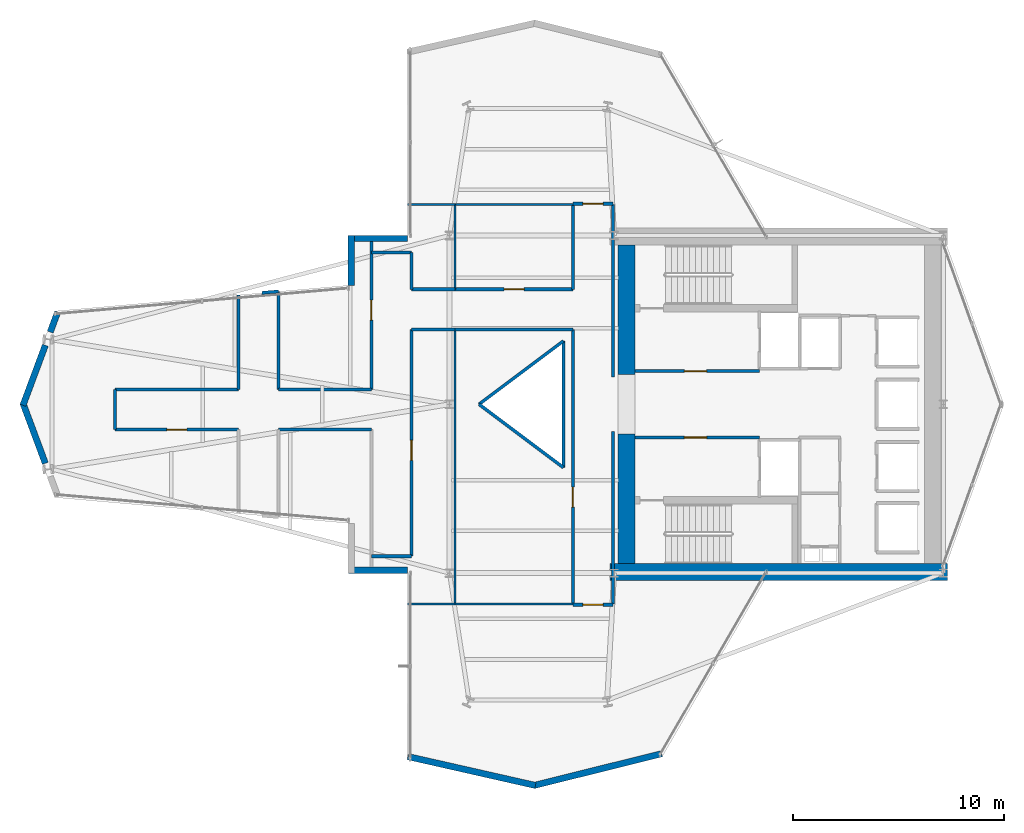
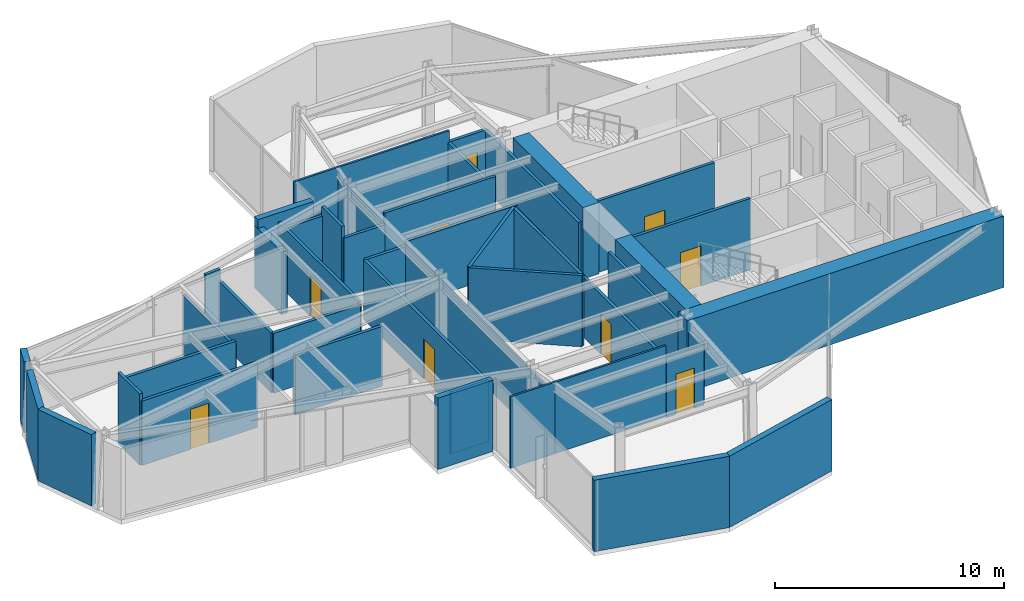
# One storey, part 22 of 25: 45 walls, 9 doors, 9 openings.
"""IFC4 building model written with IfcOpenShell, lengths in metres."""

import ifcopenshell
import ifcopenshell.guid

model = None  # the IFC model being written
_history = None  # IfcOwnerHistory: only IFC2X3 demands one
_inside = {}  # id of a spatial element -> (the spatial element, [elements in it])
_under = {}  # id of a project, library or spatial element -> (it, [spatial elements below it])
_declared = {}  # id of a project -> (the project, [libraries it declares])
_typed = {}  # id of a type object -> (the type object, [elements of that type])
_made_of = {}  # id of a material, layer set ... -> (it, [elements and type objects made of it])


def new_model(schema):
    """Start an empty IFC model of exactly this schema.

    Asked for "IFC4X3", IfcOpenShell would pick the latest addendum, in which some entities
    have other attributes; the version numbers below select the first issue.
    IFC2X3 requires an IfcOwnerHistory on every rooted entity: one is made here for all.
    """
    global model, _history
    if schema == "IFC4X3":
        model = ifcopenshell.file(schema_version=(4, 3, 0, 0))
    else:
        model = ifcopenshell.file(schema=schema)
    _inside.clear()
    _under.clear()
    _declared.clear()
    _typed.clear()
    _made_of.clear()
    _history = None
    if model.schema == "IFC2X3":
        org = make("IfcOrganization", Name="unknown")
        user = make(
            "IfcPersonAndOrganization",
            ThePerson=make("IfcPerson", FamilyName="unknown"),
            TheOrganization=org,
        )
        app = make(
            "IfcApplication",
            ApplicationDeveloper=org,
            Version="unknown",
            ApplicationFullName="unknown",
            ApplicationIdentifier="unknown",
        )
        _history = make(
            "IfcOwnerHistory",
            OwningUser=user,
            OwningApplication=app,
            ChangeAction="ADDED",
            CreationDate=0,
        )
    return model


def make(cls, **values):
    """One entity of the class cls with the attributes given. An attribute that is None is left unset."""
    return model.create_entity(
        cls, **{name: value for name, value in values.items() if value is not None}
    )


def rooted(cls, **values):
    """An entity with a GlobalId (a new one), such as an element, a storey or a relation."""
    return make(cls, GlobalId=ifcopenshell.guid.new(), OwnerHistory=_history, **values)


def si_unit(unit_type, name, prefix=None):
    """IfcSIUnit, for example si_unit("LENGTHUNIT", "METRE", prefix="MILLI")."""
    return make("IfcSIUnit", UnitType=unit_type, Prefix=prefix, Name=name)


def assignment(units):
    """IfcUnitAssignment: the units of a project."""
    return None if units is None else make("IfcUnitAssignment", Units=units)


def point(xyz):
    """IfcCartesianPoint."""
    return None if xyz is None else make("IfcCartesianPoint", Coordinates=xyz)


def direction(xyz):
    """IfcDirection."""
    return None if xyz is None else make("IfcDirection", DirectionRatios=xyz)


def frame(location, z_axis=None, x_axis=None):
    """IfcAxis2Placement3D, a coordinate frame: its origin and axes. An axis left out is left unset."""
    return make(
        "IfcAxis2Placement3D",
        Location=point(location),
        Axis=direction(z_axis),
        RefDirection=direction(x_axis),
    )


def frame_2d(location, x_axis=None):
    """IfcAxis2Placement2D, a coordinate frame in the plane: its origin and x axis."""
    return make(
        "IfcAxis2Placement2D", Location=point(location), RefDirection=direction(x_axis)
    )


def origin():
    """The frame at (0, 0, 0) with its axes left unset."""
    return frame((0.0, 0.0, 0.0))


def place(relative_to, where):
    """IfcLocalPlacement: puts the frame where relative to a parent placement (None: the world)."""
    return make(
        "IfcLocalPlacement", PlacementRelTo=relative_to, RelativePlacement=where
    )


def context(
    kind, dimensions, precision=None, world=None, true_north=None, identifier=None
):
    """IfcGeometricRepresentationContext, for example the 3D "Model" context."""
    return make(
        "IfcGeometricRepresentationContext",
        ContextIdentifier=identifier,
        ContextType=kind,
        CoordinateSpaceDimension=dimensions,
        Precision=precision,
        WorldCoordinateSystem=world,
        TrueNorth=true_north,
    )


def subcontext(parent, identifier, kind, view, scale=None):
    """IfcGeometricRepresentationSubContext, for example "Body" below "Model"."""
    return make(
        "IfcGeometricRepresentationSubContext",
        ContextIdentifier=identifier,
        ContextType=kind,
        ParentContext=parent,
        TargetScale=scale,
        TargetView=view,
    )


def project(units=None, contexts=None):
    """IfcProject with its units and contexts."""
    return rooted(
        "IfcProject",
        Name="project",
        RepresentationContexts=contexts,
        UnitsInContext=assignment(units),
    )


def spatial(cls, under=None, at=None, **own):
    """A site, building, storey or space (cls), placed at a placement, below another one or the project."""
    s = rooted(cls, ObjectPlacement=at, **own)
    if under is not None:
        _under.setdefault(under.id(), (under, []))[1].append(s)
    return s


def profile(cls, at=None, kind="AREA", **sizes):
    """A parametric profile (cls). Its sizes go by their IFC names, for example OverallWidth=200.0."""
    return make(cls, ProfileType=kind, Position=at, **sizes)


def rectangle(**sizes):
    """IfcRectangleProfileDef."""
    return profile("IfcRectangleProfileDef", **sizes)


def extrude(swept, where, along, depth):
    """IfcExtrudedAreaSolid: the profile swept, set in the frame where, extruded along a direction by depth."""
    return make(
        "IfcExtrudedAreaSolid",
        SweptArea=swept,
        Position=where,
        ExtrudedDirection=direction(along),
        Depth=depth,
    )


def shape(context_of_items, identifier, shape_type, items):
    """IfcShapeRepresentation: the items that make up one representation, for example the "Body"."""
    return make(
        "IfcShapeRepresentation",
        ContextOfItems=context_of_items,
        RepresentationIdentifier=identifier,
        RepresentationType=shape_type,
        Items=items,
    )


def material(Name=None, Category=None):
    """IfcMaterial."""
    return make("IfcMaterial", Name=Name, Category=Category)


def layer(
    of_material, thickness, ventilated=None, Name=None, Category=None, Priority=None
):
    """IfcMaterialLayer: one layer of a wall or slab, of a material (None: an air gap)."""
    return make(
        "IfcMaterialLayer",
        Material=of_material,
        LayerThickness=thickness,
        IsVentilated=ventilated,
        Name=Name,
        Category=Category,
        Priority=Priority,
    )


def layer_set(layers, Name=None):
    """IfcMaterialLayerSet."""
    return make("IfcMaterialLayerSet", MaterialLayers=layers, LayerSetName=Name)


def made_of(thing, what):
    """Note that an element or type object is made of a material, layer set ...; save() writes the relation."""
    if what is not None:
        _made_of.setdefault(what.id(), (what, []))[1].append(thing)
    return thing


def type_object(cls, material=None, **own):
    """A type object (cls), such as IfcWallType, which elements share."""
    return made_of(rooted(cls, **own), material)


def element(
    cls,
    number,
    at=None,
    inside=None,
    cuts=None,
    type_object=None,
    material=None,
    context=None,
    identifier="Body",
    shape_type=None,
    held_by="IfcProductDefinitionShape",
    body=None,
    shapes=None,
    **own,
):
    """One element of the class cls, such as IfcWall. Its Tag is "e" and its number.

    at: its placement. inside: the storey or other place that contains it. cuts: it is an
    opening in that element (IfcRelVoidsElement). A single representation is given by context,
    identifier, shape_type and body (its items); several are given by shapes. held_by: the class
    of the entity that holds the representations. save() writes the other relations.
    """
    e = rooted(cls, Tag="e%d" % number, ObjectPlacement=at, **own)
    if body is not None:
        shapes = [shape(context, identifier, shape_type, body)]
    if shapes is not None:
        e.Representation = make(held_by, Representations=shapes)
    if inside is not None:
        _inside.setdefault(inside.id(), (inside, []))[1].append(e)
    if cuts is not None:
        rooted(
            "IfcRelVoidsElement", RelatingBuildingElement=cuts, RelatedOpeningElement=e
        )
    if type_object is not None:
        _typed.setdefault(type_object.id(), (type_object, []))[1].append(e)
    return made_of(e, material)


def fill(opening, filler):
    """IfcRelFillsElement: the door or window that sits in an opening."""
    return rooted(
        "IfcRelFillsElement",
        RelatingOpeningElement=opening,
        RelatedBuildingElement=filler,
    )


def aggregate(whole, parts):
    """IfcRelAggregates: a whole, such as a stair, and the parts it consists of."""
    return rooted("IfcRelAggregates", RelatingObject=whole, RelatedObjects=parts)


def save(model, path):
    """Write the relations noted so far, then the file.

    IfcRelAggregates (storeys below a building ...), IfcRelContainedInSpatialStructure (elements
    in a storey), IfcRelDefinesByType, IfcRelAssociatesMaterial and IfcRelDeclares: one each for
    every whole, place, type object, material and project.
    """
    for whole, parts in _under.values():
        aggregate(whole, parts)
    for where, things in _inside.values():
        rooted(
            "IfcRelContainedInSpatialStructure",
            RelatedElements=things,
            RelatingStructure=where,
        )
    for kind, things in _typed.values():
        rooted("IfcRelDefinesByType", RelatedObjects=things, RelatingType=kind)
    for what, things in _made_of.values():
        rooted("IfcRelAssociatesMaterial", RelatedObjects=things, RelatingMaterial=what)
    for by, libraries in _declared.values():
        rooted("IfcRelDeclares", RelatingContext=by, RelatedDefinitions=libraries)
    model.write(path)


model = new_model("IFC4")

# Units and contexts
model_context = context("Model", 3, precision=1e-05, world=origin(), true_north=direction((0.0, 1.0)))
body_context = subcontext(model_context, "Body", "Model", "MODEL_VIEW")
ifc_project = project(units=[si_unit("LENGTHUNIT", "METRE"), si_unit("AREAUNIT", "SQUARE_METRE"), si_unit("VOLUMEUNIT", "CUBIC_METRE"), si_unit("PLANEANGLEUNIT", "RADIAN"), si_unit("MASSUNIT", "GRAM", prefix="KILO")], contexts=[model_context])

# Site, building, storey
site_placement = place(None, origin())
site = spatial("IfcSite", under=ifc_project, at=site_placement, CompositionType="ELEMENT")
building_placement = place(site_placement, origin())
building = spatial("IfcBuilding", under=site, at=building_placement, Name="Veymaron Broadcast Tower", CompositionType="ELEMENT")
storey_placement = place(building_placement, frame((0.0, 0.0, 173.550048828125)))
storey = spatial("IfcBuildingStorey", under=building, at=storey_placement, Name="L40", CompositionType="ELEMENT", Elevation=173.550048828125)

# Walls
ifc_material_1 = material(Name="Precast concrete C40/50 with mineral-wool insulation", Category="concrete")
ifc_layer_1 = layer(ifc_material_1, 0.300048828125)
ifc_layer_set_1 = layer_set([ifc_layer_1], Name="Precast concrete C40/50 with mineral-wool insulation")
wall_type_1 = type_object("IfcWallType", Name="WALL-EXT-300", PredefinedType="STANDARD", material=ifc_layer_set_1)
wall_1_placement = place(storey_placement, frame((29.206787109375, 31.860107421875, 0.0), z_axis=(0.0, 0.0, 1.0), x_axis=(-1.0, 0.0, 0.0)))
element("IfcWall", 1, at=wall_1_placement, inside=storey, type_object=wall_type_1, Name="L40 notched corner facade pier 9-1", PredefinedType="STANDARD", context=body_context, shape_type="SweptSolid", body=[
    extrude(rectangle(XDim=2.798828125, YDim=0.300048828125, at=frame_2d((1.3994140625, 0.0))), origin(), (0.0, 0.0, 1.0), 3.81005859375),
])
wall_2_placement = place(storey_placement, frame((26.548095703125, 32.0, 0.0), z_axis=(0.0, 0.0, 1.0), x_axis=(0.0, -1.0, 0.0)))
element("IfcWall", 2, at=wall_2_placement, inside=storey, type_object=wall_type_1, Name="L40 notched corner facade pier 10-1", PredefinedType="STANDARD", context=body_context, shape_type="SweptSolid", body=[
    extrude(rectangle(XDim=2.361083984375, YDim=0.300048828125, at=frame_2d((1.1806640625, 0.0))), origin(), (0.0, 0.0, 1.0), 3.337890625),
])
wall_3_placement = place(storey_placement, frame((12.631103515625, 28.3701171875, 0.0), z_axis=(0.0, 0.0, 1.0), x_axis=(-0.348713979608, -0.937229193115, 0.0)))
element("IfcWall", 3, at=wall_3_placement, inside=storey, type_object=wall_type_1, Name="L40 notched corner facade pier 12-1", PredefinedType="STANDARD", context=body_context, shape_type="SweptSolid", body=[
    extrude(rectangle(XDim=1.010986328125, YDim=0.300048828125, at=frame_2d((0.50537109375, 0.0))), origin(), (0.0, 0.0, 1.0), 3.81005859375),
])
for number, where, z_axis, x_axis, name in (
    (4, (12.04638671875, 26.798095703125, 0.0), (0.0, 0.0, 1.0), (-0.348664753159, -0.937247507281, 0.0), "L40 notched corner facade pier 12-2"),
    (5, (10.9873046875, 24.048828125, 0.0), (0.0, 0.0, 1.0), (0.348664753159, -0.937247507281, 0.0), "L40 notched corner facade pier 13-1"),
):
    element("IfcWall", number, at=place(storey_placement, frame(where, z_axis=z_axis, x_axis=x_axis)), inside=storey, type_object=wall_type_1, Name=name, PredefinedType="STANDARD", context=body_context, shape_type="SweptSolid", body=[
        extrude(rectangle(XDim=3.03759765625, YDim=0.300048828125, at=frame_2d((1.518798828125, 0.0))), origin(), (0.0, 0.0, 1.0), 3.81005859375),
    ])
wall_4_placement = place(storey_placement, frame((26.407958984375, 16.139892578125, 0.0), z_axis=(0.0, 0.0, 1.0), x_axis=(1.0, 0.0, 0.0)))
element("IfcWall", 6, at=wall_4_placement, inside=storey, type_object=wall_type_1, Name="L40 notched corner facade pier 16-1", PredefinedType="STANDARD", context=body_context, shape_type="SweptSolid", body=[
    extrude(rectangle(XDim=2.798828125, YDim=0.300048828125, at=frame_2d((1.3994140625, 0.0))), origin(), (0.0, 0.0, 1.0), 3.81005859375),
])
wall_5_placement = place(storey_placement, frame((29.224853515625, 7.305419921875, 0.0), z_axis=(0.0, 0.0, 1.0), x_axis=(0.975288491541, -0.220935190199, 0.0)))
element("IfcWall", 7, at=wall_5_placement, inside=storey, type_object=wall_type_1, Name="L40 notched corner facade pier 18-1", PredefinedType="STANDARD", context=body_context, shape_type="SweptSolid", body=[
    extrude(rectangle(XDim=6.200439453125, YDim=0.300048828125, at=frame_2d((3.10009765625, 0.0))), origin(), (0.0, 0.0, 1.0), 3.81005859375),
])
wall_6_placement = place(storey_placement, frame((35.20703125, 5.934814453125, 0.0), z_axis=(0.0, 0.0, 1.0), x_axis=(0.970319679145, 0.241825805619, 0.0)))
element("IfcWall", 8, at=wall_6_placement, inside=storey, type_object=wall_type_1, Name="L40 notched corner facade pier 19-1", PredefinedType="STANDARD", context=body_context, shape_type="SweptSolid", body=[
    extrude(rectangle(XDim=6.232177734375, YDim=0.300048828125, at=frame_2d((3.1162109375, 0.0))), origin(), (0.0, 0.0, 1.0), 3.81005859375),
])

# Wall, opening, door
ifc_material_2 = material(Name="Gypsum fireboard and steel stud framing", Category="steel")
ifc_layer_2 = layer(ifc_material_2, 0.14990234375)
ifc_layer_set_2 = layer_set([ifc_layer_2], Name="Gypsum fireboard and steel stud framing")
wall_type_2 = type_object("IfcWallType", Name="WALL-FIRE-150", PredefinedType="PARTITIONING", material=ifc_layer_set_2)
wall_7_placement = place(storey_placement, frame((39.97998046875, 25.574951171875, 0.0), z_axis=(0.0, 0.0, 1.0), x_axis=(1.0, 0.0, 0.0)))
wall_7 = element("IfcWall", 9, at=wall_7_placement, inside=storey, type_object=wall_type_2, Name="L40 partition IW-L40-FFLN-S", PredefinedType="PARTITIONING", context=body_context, shape_type="SweptSolid", body=[
    extrude(rectangle(XDim=5.89990234375, YDim=0.14990234375, at=frame_2d((2.949951171875, 0.0))), origin(), (0.0, 0.0, 1.0), 3.81005859375),
])
opening_1_placement = place(wall_7_placement, frame((2.35009765625, 0.0, 0.0)))
opening_1 = element("IfcOpeningElement", 10, at=opening_1_placement, cuts=wall_7, Name="Opening ID-FL1", PredefinedType="OPENING", context=body_context, shape_type="SweptSolid", body=[
    extrude(rectangle(XDim=1.050048828125, YDim=2.14990234375, at=frame_2d((0.52490234375, 1.074951171875))), frame((0.0, 0.0849609375, 0.0), z_axis=(0.0, -1.0, 0.0), x_axis=(1.0, 0.0, 0.0)), (0.0, 0.0, 1.0), 0.169921875),
])
ifc_material_3 = material(Name="Fire-rated painted hollow steel ASTM A653", Category="steel")
door_type_1 = type_object("IfcDoorType", Name="DOOR-FIRE-1050", OperationType="NOTDEFINED", PredefinedType="DOOR", material=ifc_material_3)
door_1_placement = place(opening_1_placement, origin())
door_1 = element("IfcDoor", 11, at=door_1_placement, inside=storey, type_object=door_type_1, Name="L40 door DR-L40-FFLN", OperationType="SINGLE_SWING_LEFT", OverallHeight=2.14990234375, OverallWidth=1.050048828125, PredefinedType="DOOR", context=body_context, shape_type="SweptSolid", body=[
    extrude(rectangle(XDim=1.050048828125, YDim=2.14990234375, at=frame_2d((0.52490234375, 1.074951171875))), frame((0.0, 0.02490234375, 0.0), z_axis=(0.0, -1.0, 0.0), x_axis=(1.0, 0.0, 0.0)), (0.0, 0.0, 1.0), 0.050048828125),
])
fill(opening_1, door_1)

wall_8_placement = place(storey_placement, frame((39.97998046875, 22.425048828125, 0.0), z_axis=(0.0, 0.0, 1.0), x_axis=(1.0, 0.0, 0.0)))
wall_8 = element("IfcWall", 12, at=wall_8_placement, inside=storey, type_object=wall_type_2, Name="L40 partition IW-L40-FFLS-N", PredefinedType="PARTITIONING", context=body_context, shape_type="SweptSolid", body=[
    extrude(rectangle(XDim=5.89990234375, YDim=0.14990234375, at=frame_2d((2.949951171875, 0.0))), origin(), (0.0, 0.0, 1.0), 3.81005859375),
])
opening_2_placement = place(wall_8_placement, frame((2.35009765625, 0.0, 0.0)))
opening_2 = element("IfcOpeningElement", 13, at=opening_2_placement, cuts=wall_8, Name="Opening ID-FL1", PredefinedType="OPENING", context=body_context, shape_type="SweptSolid", body=[
    extrude(rectangle(XDim=1.050048828125, YDim=2.14990234375, at=frame_2d((0.52490234375, 1.074951171875))), frame((0.0, 0.0849609375, 0.0), z_axis=(0.0, -1.0, 0.0), x_axis=(1.0, 0.0, 0.0)), (0.0, 0.0, 1.0), 0.169921875),
])
door_2_placement = place(opening_2_placement, frame((1.050048828125, 0.0, 0.0), z_axis=(0.0, 0.0, 1.0), x_axis=(-1.0, 0.0, 0.0)))
door_2 = element("IfcDoor", 14, at=door_2_placement, inside=storey, type_object=door_type_1, Name="L40 door DR-L40-FFLS", OperationType="SINGLE_SWING_RIGHT", OverallHeight=2.14990234375, OverallWidth=1.050048828125, PredefinedType="DOOR", context=body_context, shape_type="SweptSolid", body=[
    extrude(rectangle(XDim=1.050048828125, YDim=2.14990234375, at=frame_2d((0.52490234375, 1.074951171875))), frame((0.0, 0.02490234375, 0.0), z_axis=(0.0, -1.0, 0.0), x_axis=(1.0, 0.0, 0.0)), (0.0, 0.0, 1.0), 0.050048828125),
])
fill(opening_2, door_2)

wall_9_placement = place(storey_placement, frame((37.050048828125, 14.5, 0.0), z_axis=(0.0, 0.0, 1.0), x_axis=(1.0, 0.0, 0.0)))
wall_9 = element("IfcWall", 15, at=wall_9_placement, inside=storey, type_object=wall_type_2, Name="L40 partition IW-L40-P02", PredefinedType="PARTITIONING", context=body_context, shape_type="SweptSolid", body=[
    extrude(rectangle(XDim=1.89990234375, YDim=0.14990234375, at=frame_2d((0.949951171875, 0.0))), origin(), (0.0, 0.0, 1.0), 3.18994140625),
])
opening_3_placement = place(wall_9_placement, frame((0.47509765625, 0.0, 0.0)))
opening_3 = element("IfcOpeningElement", 16, at=opening_3_placement, cuts=wall_9, Name="Opening ID-RM1", PredefinedType="OPENING", context=body_context, shape_type="SweptSolid", body=[
    extrude(rectangle(XDim=0.949951171875, YDim=2.14990234375, at=frame_2d((0.47509765625, 1.074951171875))), frame((0.0, 0.0849609375, 0.0), z_axis=(0.0, -1.0, 0.0), x_axis=(1.0, 0.0, 0.0)), (0.0, 0.0, 1.0), 0.169921875),
])
ifc_material_4 = material(Name="Acoustic solid-core European oak veneer timber", Category="wood")
door_type_2 = type_object("IfcDoorType", Name="DOOR-INT-950", OperationType="NOTDEFINED", PredefinedType="DOOR", material=ifc_material_4)
door_3_placement = place(opening_3_placement, frame((0.949951171875, 0.0, 0.0), z_axis=(0.0, 0.0, 1.0), x_axis=(-1.0, 0.0, 0.0)))
door_3 = element("IfcDoor", 17, at=door_3_placement, inside=storey, type_object=door_type_2, Name="L40 door DR-L40-P02", OperationType="SINGLE_SWING_LEFT", OverallHeight=2.14990234375, OverallWidth=0.949951171875, PredefinedType="DOOR", context=body_context, shape_type="SweptSolid", body=[
    extrude(rectangle(XDim=0.949951171875, YDim=2.14990234375, at=frame_2d((0.47509765625, 1.074951171875))), frame((0.0, 0.02490234375, 0.0), z_axis=(0.0, -1.0, 0.0), x_axis=(1.0, 0.0, 0.0)), (0.0, 0.0, 1.0), 0.050048828125),
])
fill(opening_3, door_3)

wall_10_placement = place(storey_placement, frame((37.050048828125, 14.534912109375, 0.0), z_axis=(0.0, 0.0, 1.0), x_axis=(0.0, 1.0, 0.0)))
wall_10 = element("IfcWall", 18, at=wall_10_placement, inside=storey, type_object=wall_type_2, Name="L40 partition IW-L40-P03", PredefinedType="PARTITIONING", context=body_context, shape_type="SweptSolid", body=[
    extrude(rectangle(XDim=13.01513671875, YDim=0.14990234375, at=frame_2d((6.507568359375, 0.0))), origin(), (0.0, 0.0, 1.0), 3.18994140625),
])
opening_4_placement = place(wall_10_placement, frame((4.592529296875, 0.0, 0.0)))
opening_4 = element("IfcOpeningElement", 19, at=opening_4_placement, cuts=wall_10, Name="Opening ID-RM1", PredefinedType="OPENING", context=body_context, shape_type="SweptSolid", body=[
    extrude(rectangle(XDim=0.949951171875, YDim=2.14990234375, at=frame_2d((0.47509765625, 1.074951171875))), frame((0.0, 0.0849609375, 0.0), z_axis=(0.0, -1.0, 0.0), x_axis=(1.0, 0.0, 0.0)), (0.0, 0.0, 1.0), 0.169921875),
])
door_4_placement = place(opening_4_placement, frame((0.949951171875, 0.0, 0.0), z_axis=(0.0, 0.0, 1.0), x_axis=(-1.0, 0.0, 0.0)))
door_4 = element("IfcDoor", 20, at=door_4_placement, inside=storey, type_object=door_type_2, Name="L40 door DR-L40-P03", OperationType="SINGLE_SWING_RIGHT", OverallHeight=2.14990234375, OverallWidth=0.949951171875, PredefinedType="DOOR", context=body_context, shape_type="SweptSolid", body=[
    extrude(rectangle(XDim=0.949951171875, YDim=2.14990234375, at=frame_2d((0.47509765625, 1.074951171875))), frame((0.0, 0.02490234375, 0.0), z_axis=(0.0, -1.0, 0.0), x_axis=(1.0, 0.0, 0.0)), (0.0, 0.0, 1.0), 0.050048828125),
])
fill(opening_4, door_4)

wall_11_placement = place(storey_placement, frame((29.39990234375, 16.800048828125, 0.0), z_axis=(0.0, 0.0, 1.0), x_axis=(0.0, 1.0, 0.0)))
wall_11 = element("IfcWall", 21, at=wall_11_placement, inside=storey, type_object=wall_type_2, Name="L40 partition IW-L40-P05", PredefinedType="PARTITIONING", context=body_context, shape_type="SweptSolid", body=[
    extrude(rectangle(XDim=10.75, YDim=0.14990234375, at=frame_2d((5.375, 0.0))), origin(), (0.0, 0.0, 1.0), 3.18994140625),
])
opening_5_placement = place(wall_11_placement, frame((4.5400390625, 0.0, 0.0)))
opening_5 = element("IfcOpeningElement", 22, at=opening_5_placement, cuts=wall_11, Name="Opening ID-RM1", PredefinedType="OPENING", context=body_context, shape_type="SweptSolid", body=[
    extrude(rectangle(XDim=0.949951171875, YDim=2.14990234375, at=frame_2d((0.47509765625, 1.074951171875))), frame((0.0, 0.0849609375, 0.0), z_axis=(0.0, -1.0, 0.0), x_axis=(1.0, 0.0, 0.0)), (0.0, 0.0, 1.0), 0.169921875),
])
door_5_placement = place(opening_5_placement, frame((0.949951171875, 0.0, 0.0), z_axis=(0.0, 0.0, 1.0), x_axis=(-1.0, 0.0, 0.0)))
door_5 = element("IfcDoor", 23, at=door_5_placement, inside=storey, type_object=door_type_2, Name="L40 door DR-L40-P05", OperationType="SINGLE_SWING_RIGHT", OverallHeight=2.14990234375, OverallWidth=0.949951171875, PredefinedType="DOOR", context=body_context, shape_type="SweptSolid", body=[
    extrude(rectangle(XDim=0.949951171875, YDim=2.14990234375, at=frame_2d((0.47509765625, 1.074951171875))), frame((0.0, 0.02490234375, 0.0), z_axis=(0.0, -1.0, 0.0), x_axis=(1.0, 0.0, 0.0)), (0.0, 0.0, 1.0), 0.050048828125),
])
fill(opening_5, door_5)

wall_12_placement = place(storey_placement, frame((15.35595703125, 22.800048828125, 0.0), z_axis=(0.0, 0.0, 1.0), x_axis=(1.0, 0.0, 0.0)))
wall_12 = element("IfcWall", 24, at=wall_12_placement, inside=storey, type_object=wall_type_2, Name="L40 partition IW-L40-P12", PredefinedType="PARTITIONING", context=body_context, shape_type="SweptSolid", body=[
    extrude(rectangle(XDim=5.843994140625, YDim=0.14990234375, at=frame_2d((2.921875, 0.0))), origin(), (0.0, 0.0, 1.0), 3.44287109375),
])
opening_6_placement = place(wall_12_placement, frame((2.447021484375, 0.0, 0.0)))
opening_6 = element("IfcOpeningElement", 25, at=opening_6_placement, cuts=wall_12, Name="Opening ID-RM1", PredefinedType="OPENING", context=body_context, shape_type="SweptSolid", body=[
    extrude(rectangle(XDim=0.949951171875, YDim=2.14990234375, at=frame_2d((0.47509765625, 1.074951171875))), frame((0.0, 0.0849609375, 0.0), z_axis=(0.0, -1.0, 0.0), x_axis=(1.0, 0.0, 0.0)), (0.0, 0.0, 1.0), 0.169921875),
])
door_6_placement = place(opening_6_placement, frame((0.949951171875, 0.0, 0.0), z_axis=(0.0, 0.0, 1.0), x_axis=(-1.0, 0.0, 0.0)))
door_6 = element("IfcDoor", 26, at=door_6_placement, inside=storey, type_object=door_type_2, Name="L40 door DR-L40-P12", OperationType="SINGLE_SWING_LEFT", OverallHeight=2.14990234375, OverallWidth=0.949951171875, PredefinedType="DOOR", context=body_context, shape_type="SweptSolid", body=[
    extrude(rectangle(XDim=0.949951171875, YDim=2.14990234375, at=frame_2d((0.47509765625, 1.074951171875))), frame((0.0, 0.02490234375, 0.0), z_axis=(0.0, -1.0, 0.0), x_axis=(1.0, 0.0, 0.0)), (0.0, 0.0, 1.0), 0.050048828125),
])
fill(opening_6, door_6)

wall_13_placement = place(storey_placement, frame((27.5, 24.699951171875, 0.0), z_axis=(0.0, 0.0, 1.0), x_axis=(0.0, 1.0, 0.0)))
wall_13 = element("IfcWall", 27, at=wall_13_placement, inside=storey, type_object=wall_type_2, Name="L40 partition IW-L40-P17", PredefinedType="PARTITIONING", context=body_context, shape_type="SweptSolid", body=[
    extrude(rectangle(XDim=7.16015625, YDim=0.14990234375, at=frame_2d((3.580078125, 0.0))), origin(), (0.0, 0.0, 1.0), 3.337890625),
])
opening_7_placement = place(wall_13_placement, frame((3.284912109375, 0.0, 0.0)))
opening_7 = element("IfcOpeningElement", 28, at=opening_7_placement, cuts=wall_13, Name="Opening ID-RM1", PredefinedType="OPENING", context=body_context, shape_type="SweptSolid", body=[
    extrude(rectangle(XDim=0.949951171875, YDim=2.14990234375, at=frame_2d((0.47509765625, 1.074951171875))), frame((0.0, 0.0849609375, 0.0), z_axis=(0.0, -1.0, 0.0), x_axis=(1.0, 0.0, 0.0)), (0.0, 0.0, 1.0), 0.169921875),
])
door_7_placement = place(opening_7_placement, origin())
door_7 = element("IfcDoor", 29, at=door_7_placement, inside=storey, type_object=door_type_2, Name="L40 door DR-L40-P17", OperationType="SINGLE_SWING_RIGHT", OverallHeight=2.14990234375, OverallWidth=0.949951171875, PredefinedType="DOOR", context=body_context, shape_type="SweptSolid", body=[
    extrude(rectangle(XDim=0.949951171875, YDim=2.14990234375, at=frame_2d((0.47509765625, 1.074951171875))), frame((0.0, 0.02490234375, 0.0), z_axis=(0.0, -1.0, 0.0), x_axis=(1.0, 0.0, 0.0)), (0.0, 0.0, 1.0), 0.050048828125),
])
fill(opening_7, door_7)

wall_14_placement = place(storey_placement, frame((31.468994140625, 29.449951171875, 0.0), z_axis=(0.0, 0.0, 1.0), x_axis=(1.0, 0.0, 0.0)))
wall_14 = element("IfcWall", 30, at=wall_14_placement, inside=storey, type_object=wall_type_2, Name="L40 partition IW-L40-P24", PredefinedType="PARTITIONING", context=body_context, shape_type="SweptSolid", body=[
    extrude(rectangle(XDim=5.5810546875, YDim=0.14990234375, at=frame_2d((2.79052734375, 0.0))), origin(), (0.0, 0.0, 1.0), 3.81005859375),
])
opening_8_placement = place(wall_14_placement, frame((2.3154296875, 0.0, 0.0)))
opening_8 = element("IfcOpeningElement", 31, at=opening_8_placement, cuts=wall_14, Name="Opening ID-RM1", PredefinedType="OPENING", context=body_context, shape_type="SweptSolid", body=[
    extrude(rectangle(XDim=0.949951171875, YDim=2.14990234375, at=frame_2d((0.47509765625, 1.074951171875))), frame((0.0, 0.0849609375, 0.0), z_axis=(0.0, -1.0, 0.0), x_axis=(1.0, 0.0, 0.0)), (0.0, 0.0, 1.0), 0.169921875),
])
door_8_placement = place(opening_8_placement, origin())
door_8 = element("IfcDoor", 32, at=door_8_placement, inside=storey, type_object=door_type_2, Name="L40 door DR-L40-P24", OperationType="SINGLE_SWING_LEFT", OverallHeight=2.14990234375, OverallWidth=0.949951171875, PredefinedType="DOOR", context=body_context, shape_type="SweptSolid", body=[
    extrude(rectangle(XDim=0.949951171875, YDim=2.14990234375, at=frame_2d((0.47509765625, 1.074951171875))), frame((0.0, 0.02490234375, 0.0), z_axis=(0.0, -1.0, 0.0), x_axis=(1.0, 0.0, 0.0)), (0.0, 0.0, 1.0), 0.050048828125),
])
fill(opening_8, door_8)

wall_15_placement = place(storey_placement, frame((37.050048828125, 33.5, 0.0), z_axis=(0.0, 0.0, 1.0), x_axis=(1.0, 0.0, 0.0)))
wall_15 = element("IfcWall", 33, at=wall_15_placement, inside=storey, type_object=wall_type_2, Name="L40 partition IW-L40-P27", PredefinedType="PARTITIONING", context=body_context, shape_type="SweptSolid", body=[
    extrude(rectangle(XDim=1.89990234375, YDim=0.14990234375, at=frame_2d((0.949951171875, 0.0))), origin(), (0.0, 0.0, 1.0), 3.18994140625),
])
opening_9_placement = place(wall_15_placement, frame((0.47509765625, 0.0, 0.0)))
opening_9 = element("IfcOpeningElement", 34, at=opening_9_placement, cuts=wall_15, Name="Opening ID-RM1", PredefinedType="OPENING", context=body_context, shape_type="SweptSolid", body=[
    extrude(rectangle(XDim=0.949951171875, YDim=2.14990234375, at=frame_2d((0.47509765625, 1.074951171875))), frame((0.0, 0.0849609375, 0.0), z_axis=(0.0, -1.0, 0.0), x_axis=(1.0, 0.0, 0.0)), (0.0, 0.0, 1.0), 0.169921875),
])
door_9_placement = place(opening_9_placement, origin())
door_9 = element("IfcDoor", 35, at=door_9_placement, inside=storey, type_object=door_type_2, Name="L40 door DR-L40-P27", OperationType="SINGLE_SWING_RIGHT", OverallHeight=2.14990234375, OverallWidth=0.949951171875, PredefinedType="DOOR", context=body_context, shape_type="SweptSolid", body=[
    extrude(rectangle(XDim=0.949951171875, YDim=2.14990234375, at=frame_2d((0.47509765625, 1.074951171875))), frame((0.0, 0.02490234375, 0.0), z_axis=(0.0, -1.0, 0.0), x_axis=(1.0, 0.0, 0.0)), (0.0, 0.0, 1.0), 0.050048828125),
])
fill(opening_9, door_9)

# Walls
wall_16_placement = place(storey_placement, frame((38.949951171875, 14.534912109375, 0.0), z_axis=(0.0, 0.0, 1.0), x_axis=(0.0, 1.0, 0.0)))
element("IfcWall", 36, at=wall_16_placement, inside=storey, type_object=wall_type_2, Name="L40 partition IW-L40-P01", PredefinedType="PARTITIONING", context=body_context, shape_type="SweptSolid", body=[
    extrude(rectangle(XDim=8.1650390625, YDim=0.14990234375, at=frame_2d((4.08251953125, 0.0))), origin(), (0.0, 0.0, 1.0), 3.18994140625),
])
wall_17_placement = place(storey_placement, frame((31.468994140625, 27.550048828125, 0.0), z_axis=(0.0, 0.0, 1.0), x_axis=(1.0, 0.0, 0.0)))
element("IfcWall", 37, at=wall_17_placement, inside=storey, type_object=wall_type_2, Name="L40 partition IW-L40-P04", PredefinedType="PARTITIONING", context=body_context, shape_type="SweptSolid", body=[
    extrude(rectangle(XDim=5.5810546875, YDim=0.14990234375, at=frame_2d((2.79052734375, 0.0))), origin(), (0.0, 0.0, 1.0), 3.44287109375),
])
wall_18_placement = place(storey_placement, frame((23.10009765625, 22.800048828125, 0.0), z_axis=(0.0, 0.0, 1.0), x_axis=(1.0, 0.0, 0.0)))
element("IfcWall", 38, at=wall_18_placement, inside=storey, type_object=wall_type_2, Name="L40 partition IW-L40-P07", PredefinedType="PARTITIONING", context=body_context, shape_type="SweptSolid", body=[
    extrude(rectangle(XDim=4.39990234375, YDim=0.14990234375, at=frame_2d((2.199951171875, 0.0))), origin(), (0.0, 0.0, 1.0), 3.18994140625),
])
wall_19_placement = place(storey_placement, frame((29.39990234375, 27.550048828125, 0.0), z_axis=(0.0, 0.0, 1.0), x_axis=(1.0, 0.0, 0.0)))
element("IfcWall", 39, at=wall_19_placement, inside=storey, type_object=wall_type_2, Name="L40 partition IW-L40-P09", PredefinedType="PARTITIONING", context=body_context, shape_type="SweptSolid", body=[
    extrude(rectangle(XDim=2.069091796875, YDim=0.14990234375, at=frame_2d((1.03466796875, 0.0))), origin(), (0.0, 0.0, 1.0), 3.18994140625),
])
wall_20_placement = place(storey_placement, frame((27.5, 16.800048828125, 0.0), z_axis=(0.0, 0.0, 1.0), x_axis=(1.0, 0.0, 0.0)))
element("IfcWall", 40, at=wall_20_placement, inside=storey, type_object=wall_type_2, Name="L40 partition IW-L40-P10", PredefinedType="PARTITIONING", context=body_context, shape_type="SweptSolid", body=[
    extrude(rectangle(XDim=1.89990234375, YDim=0.14990234375, at=frame_2d((0.949951171875, 0.0))), origin(), (0.0, 0.0, 1.0), 3.337890625),
])
wall_21_placement = place(storey_placement, frame((15.35595703125, 24.699951171875, 0.0), z_axis=(0.0, 0.0, 1.0), x_axis=(1.0, 0.0, 0.0)))
element("IfcWall", 41, at=wall_21_placement, inside=storey, type_object=wall_type_2, Name="L40 partition IW-L40-P13", PredefinedType="PARTITIONING", context=body_context, shape_type="SweptSolid", body=[
    extrude(rectangle(XDim=5.843994140625, YDim=0.14990234375, at=frame_2d((2.921875, 0.0))), origin(), (0.0, 0.0, 1.0), 3.44287109375),
])
wall_22_placement = place(storey_placement, frame((21.199951171875, 24.699951171875, 0.0), z_axis=(0.0, 0.0, 1.0), x_axis=(0.0, 1.0, 0.0)))
element("IfcWall", 42, at=wall_22_placement, inside=storey, type_object=wall_type_2, Name="L40 partition IW-L40-P14", PredefinedType="PARTITIONING", context=body_context, shape_type="SweptSolid", body=[
    extrude(rectangle(XDim=4.482177734375, YDim=0.14990234375, at=frame_2d((2.2412109375, 0.0))), origin(), (0.0, 0.0, 1.0), 3.18994140625),
])
wall_23_placement = place(storey_placement, frame((15.35595703125, 22.800048828125, 0.0), z_axis=(0.0, 0.0, 1.0), x_axis=(0.0, 1.0, 0.0)))
element("IfcWall", 43, at=wall_23_placement, inside=storey, type_object=wall_type_2, Name="L40 partition IW-L40-P16", PredefinedType="PARTITIONING", context=body_context, shape_type="SweptSolid", body=[
    extrude(rectangle(XDim=1.89990234375, YDim=0.14990234375, at=frame_2d((0.949951171875, 0.0))), origin(), (0.0, 0.0, 1.0), 3.81005859375),
])
wall_24_placement = place(storey_placement, frame((23.10009765625, 24.699951171875, 0.0), z_axis=(0.0, 0.0, 1.0), x_axis=(0.0, 1.0, 0.0)))
element("IfcWall", 44, at=wall_24_placement, inside=storey, type_object=wall_type_2, Name="L40 partition IW-L40-P18", PredefinedType="PARTITIONING", context=body_context, shape_type="SweptSolid", body=[
    extrude(rectangle(XDim=4.64892578125, YDim=0.14990234375, at=frame_2d((2.324462890625, 0.0))), origin(), (0.0, 0.0, 1.0), 3.18994140625),
])
wall_25_placement = place(storey_placement, frame((23.10009765625, 24.699951171875, 0.0), z_axis=(0.0, 0.0, 1.0), x_axis=(1.0, 0.0, 0.0)))
element("IfcWall", 45, at=wall_25_placement, inside=storey, type_object=wall_type_2, Name="L40 partition IW-L40-P19", PredefinedType="PARTITIONING", context=body_context, shape_type="SweptSolid", body=[
    extrude(rectangle(XDim=4.39990234375, YDim=0.14990234375, at=frame_2d((2.199951171875, 0.0))), origin(), (0.0, 0.0, 1.0), 3.18994140625),
])
wall_26_placement = place(storey_placement, frame((29.39990234375, 29.449951171875, 0.0), z_axis=(0.0, 0.0, 1.0), x_axis=(1.0, 0.0, 0.0)))
element("IfcWall", 46, at=wall_26_placement, inside=storey, type_object=wall_type_2, Name="L40 partition IW-L40-P20", PredefinedType="PARTITIONING", context=body_context, shape_type="SweptSolid", body=[
    extrude(rectangle(XDim=2.069091796875, YDim=0.14990234375, at=frame_2d((1.03466796875, 0.0))), origin(), (0.0, 0.0, 1.0), 3.18994140625),
])
wall_27_placement = place(storey_placement, frame((27.5, 31.199951171875, 0.0), z_axis=(0.0, 0.0, 1.0), x_axis=(1.0, 0.0, 0.0)))
element("IfcWall", 47, at=wall_27_placement, inside=storey, type_object=wall_type_2, Name="L40 partition IW-L40-P21", PredefinedType="PARTITIONING", context=body_context, shape_type="SweptSolid", body=[
    extrude(rectangle(XDim=1.89990234375, YDim=0.14990234375, at=frame_2d((0.949951171875, 0.0))), origin(), (0.0, 0.0, 1.0), 3.337890625),
])
wall_28_placement = place(storey_placement, frame((29.39990234375, 29.449951171875, 0.0), z_axis=(0.0, 0.0, 1.0), x_axis=(0.0, 1.0, 0.0)))
element("IfcWall", 48, at=wall_28_placement, inside=storey, type_object=wall_type_2, Name="L40 partition IW-L40-P22", PredefinedType="PARTITIONING", context=body_context, shape_type="SweptSolid", body=[
    extrude(rectangle(XDim=1.75, YDim=0.14990234375, at=frame_2d((0.875, 0.0))), origin(), (0.0, 0.0, 1.0), 3.81005859375),
])
wall_29_placement = place(storey_placement, frame((22.314208984375, 29.27978515625, 0.0), z_axis=(0.0, 0.0, 1.0), x_axis=(0.996157691282, 0.08757770321, 0.0)))
element("IfcWall", 49, at=wall_29_placement, inside=storey, type_object=wall_type_2, Name="L40 partition IW-L40-P23", PredefinedType="PARTITIONING", context=body_context, shape_type="SweptSolid", body=[
    extrude(rectangle(XDim=0.788818359375, YDim=0.14990234375, at=frame_2d((0.39453125, 0.0))), origin(), (0.0, 0.0, 1.0), 3.81005859375),
])
wall_30_placement = place(storey_placement, frame((37.050048828125, 29.449951171875, 0.0), z_axis=(0.0, 0.0, 1.0), x_axis=(0.0, 1.0, 0.0)))
element("IfcWall", 50, at=wall_30_placement, inside=storey, type_object=wall_type_2, Name="L40 partition IW-L40-P25", PredefinedType="PARTITIONING", context=body_context, shape_type="SweptSolid", body=[
    extrude(rectangle(XDim=4.01513671875, YDim=0.14990234375, at=frame_2d((2.007568359375, 0.0))), origin(), (0.0, 0.0, 1.0), 3.18994140625),
])
wall_31_placement = place(storey_placement, frame((38.949951171875, 25.300048828125, 0.0), z_axis=(0.0, 0.0, 1.0), x_axis=(0.0, 1.0, 0.0)))
element("IfcWall", 51, at=wall_31_placement, inside=storey, type_object=wall_type_2, Name="L40 partition IW-L40-P26", PredefinedType="PARTITIONING", context=body_context, shape_type="SweptSolid", body=[
    extrude(rectangle(XDim=8.1650390625, YDim=0.14990234375, at=frame_2d((4.08251953125, 0.0))), origin(), (0.0, 0.0, 1.0), 3.18994140625),
])
ifc_material_5 = material(Name="Fire-rated laminated glass in aluminium frame", Category="aluminium")
ifc_layer_3 = layer(ifc_material_5, 0.14990234375)
ifc_layer_set_3 = layer_set([ifc_layer_3], Name="Fire-rated laminated glass in aluminium frame")
wall_type_3 = type_object("IfcWallType", Name="WALL-GLZ-150", PredefinedType="MOVABLE", material=ifc_layer_set_3)
wall_32_placement = place(storey_placement, frame((32.60009765625, 24.0, 0.0), z_axis=(0.0, 0.0, 1.0), x_axis=(0.8, -0.6, 0.0)))
element("IfcWall", 52, at=wall_32_placement, inside=storey, type_object=wall_type_3, Name="L40 partition IW-L40-ATR1", PredefinedType="MOVABLE", context=body_context, shape_type="SweptSolid", body=[
    extrude(rectangle(XDim=5.0, YDim=0.14990234375, at=frame_2d((2.5, 0.0))), origin(), (0.0, 0.0, 1.0), 3.81005859375),
])
wall_33_placement = place(storey_placement, frame((36.60009765625, 21.0, 0.0), z_axis=(0.0, 0.0, 1.0), x_axis=(0.0, 1.0, 0.0)))
element("IfcWall", 53, at=wall_33_placement, inside=storey, type_object=wall_type_3, Name="L40 partition IW-L40-ATR2", PredefinedType="MOVABLE", context=body_context, shape_type="SweptSolid", body=[
    extrude(rectangle(XDim=6.0, YDim=0.14990234375, at=frame_2d((3.0, 0.0))), origin(), (0.0, 0.0, 1.0), 3.81005859375),
])
wall_34_placement = place(storey_placement, frame((36.60009765625, 27.0, 0.0), z_axis=(0.0, 0.0, 1.0), x_axis=(-0.8, -0.6, 0.0)))
element("IfcWall", 54, at=wall_34_placement, inside=storey, type_object=wall_type_3, Name="L40 partition IW-L40-ATR3", PredefinedType="MOVABLE", context=body_context, shape_type="SweptSolid", body=[
    extrude(rectangle(XDim=5.0, YDim=0.14990234375, at=frame_2d((2.5, 0.0))), origin(), (0.0, 0.0, 1.0), 3.81005859375),
])
ifc_material_6 = material(Name="Acoustic gypsum board and galvanized stud", Category="gypsum")
ifc_layer_4 = layer(ifc_material_6, 0.10009765625)
ifc_layer_set_4 = layer_set([ifc_layer_4], Name="Acoustic gypsum board and galvanized stud")
wall_type_4 = type_object("IfcWallType", Name="WALL-PART-100", PredefinedType="PARTITIONING", material=ifc_layer_set_4)
wall_35_placement = place(storey_placement, frame((31.468994140625, 14.534912109375, 0.0), z_axis=(0.0, 0.0, 1.0), x_axis=(1.0, 0.0, 0.0)))
element("IfcWall", 55, at=wall_35_placement, inside=storey, type_object=wall_type_4, Name="L40 partition IW-L40-P28", PredefinedType="PARTITIONING", context=body_context, shape_type="SweptSolid", body=[
    extrude(rectangle(XDim=5.5810546875, YDim=0.10009765625, at=frame_2d((2.79052734375, 0.0))), origin(), (0.0, 0.0, 1.0), 3.81005859375),
])
wall_36_placement = place(storey_placement, frame((29.20458984375, 14.534912109375, 0.0), z_axis=(0.0, 0.0, 1.0), x_axis=(1.0, 0.0, 0.0)))
element("IfcWall", 56, at=wall_36_placement, inside=storey, type_object=wall_type_4, Name="L40 partition IW-L40-P29", PredefinedType="PARTITIONING", context=body_context, shape_type="SweptSolid", body=[
    extrude(rectangle(XDim=2.264404296875, YDim=0.10009765625, at=frame_2d((1.13232421875, 0.0))), origin(), (0.0, 0.0, 1.0), 3.81005859375),
])
wall_37_placement = place(storey_placement, frame((31.468994140625, 14.534912109375, 0.0), z_axis=(0.0, 0.0, 1.0), x_axis=(0.0, 1.0, 0.0)))
element("IfcWall", 57, at=wall_37_placement, inside=storey, type_object=wall_type_4, Name="L40 partition IW-L40-P30", PredefinedType="PARTITIONING", context=body_context, shape_type="SweptSolid", body=[
    extrude(rectangle(XDim=13.01513671875, YDim=0.10009765625, at=frame_2d((6.507568359375, 0.0))), origin(), (0.0, 0.0, 1.0), 3.18994140625),
])
wall_38_placement = place(storey_placement, frame((31.468994140625, 29.449951171875, 0.0), z_axis=(0.0, 0.0, 1.0), x_axis=(0.0, 1.0, 0.0)))
element("IfcWall", 58, at=wall_38_placement, inside=storey, type_object=wall_type_4, Name="L40 partition IW-L40-P31", PredefinedType="PARTITIONING", context=body_context, shape_type="SweptSolid", body=[
    extrude(rectangle(XDim=4.01513671875, YDim=0.10009765625, at=frame_2d((2.007568359375, 0.0))), origin(), (0.0, 0.0, 1.0), 3.18994140625),
])
wall_39_placement = place(storey_placement, frame((29.20458984375, 33.465087890625, 0.0), z_axis=(0.0, 0.0, 1.0), x_axis=(1.0, 0.0, 0.0)))
element("IfcWall", 59, at=wall_39_placement, inside=storey, type_object=wall_type_4, Name="L40 partition IW-L40-P32", PredefinedType="PARTITIONING", context=body_context, shape_type="SweptSolid", body=[
    extrude(rectangle(XDim=2.264404296875, YDim=0.10009765625, at=frame_2d((1.13232421875, 0.0))), origin(), (0.0, 0.0, 1.0), 3.81005859375),
])
wall_40_placement = place(storey_placement, frame((31.468994140625, 33.465087890625, 0.0), z_axis=(0.0, 0.0, 1.0), x_axis=(1.0, 0.0, 0.0)))
element("IfcWall", 60, at=wall_40_placement, inside=storey, type_object=wall_type_4, Name="L40 partition IW-L40-P33", PredefinedType="PARTITIONING", context=body_context, shape_type="SweptSolid", body=[
    extrude(rectangle(XDim=5.5810546875, YDim=0.10009765625, at=frame_2d((2.79052734375, 0.0))), origin(), (0.0, 0.0, 1.0), 3.81005859375),
])
ifc_material_7 = material(Name="Concrete C60/75", Category="concrete")
ifc_layer_5 = layer(ifc_material_7, 0.800048828125)
ifc_layer_set_5 = layer_set([ifc_layer_5], Name="Concrete C60/75")
wall_type_5 = type_object("IfcWallType", Name="WALL-SHEAR-800", PredefinedType="SHEAR", material=ifc_layer_set_5)
wall_41_placement = place(storey_placement, frame((38.800048828125, 16.050048828125, 0.0), z_axis=(0.0, 0.0, 1.0), x_axis=(1.0, 0.0, 0.0)))
element("IfcWall", 61, at=wall_41_placement, inside=storey, type_object=wall_type_5, Name="L40 Core Wall south shear", PredefinedType="SHEAR", context=body_context, shape_type="SweptSolid", body=[
    extrude(rectangle(XDim=16.0, YDim=0.800048828125, at=frame_2d((8.0, 0.0))), origin(), (0.0, 0.0, 1.0), 3.81005859375),
])
for number, where, z_axis, x_axis, name in (
    (62, (39.580078125, 16.449951171875, 0.0), (0.0, 0.0, 1.0), (0.0, 1.0, 0.0), "L40 Core Wall west-south shear"),
    (63, (39.580078125, 25.39990234375, 0.0), (0.0, 0.0, 1.0), (0.0, 1.0, 0.0), "L40 Core Wall west-north shear"),
):
    element("IfcWall", number, at=place(storey_placement, frame(where, z_axis=z_axis, x_axis=x_axis)), inside=storey, type_object=wall_type_5, Name=name, PredefinedType="SHEAR", context=body_context, shape_type="SweptSolid", body=[
        extrude(rectangle(XDim=6.150146484375, YDim=0.800048828125, at=frame_2d((3.0751953125, 0.0))), origin(), (0.0, 0.0, 1.0), 3.81005859375),
    ])

save(model, "model.ifc")
